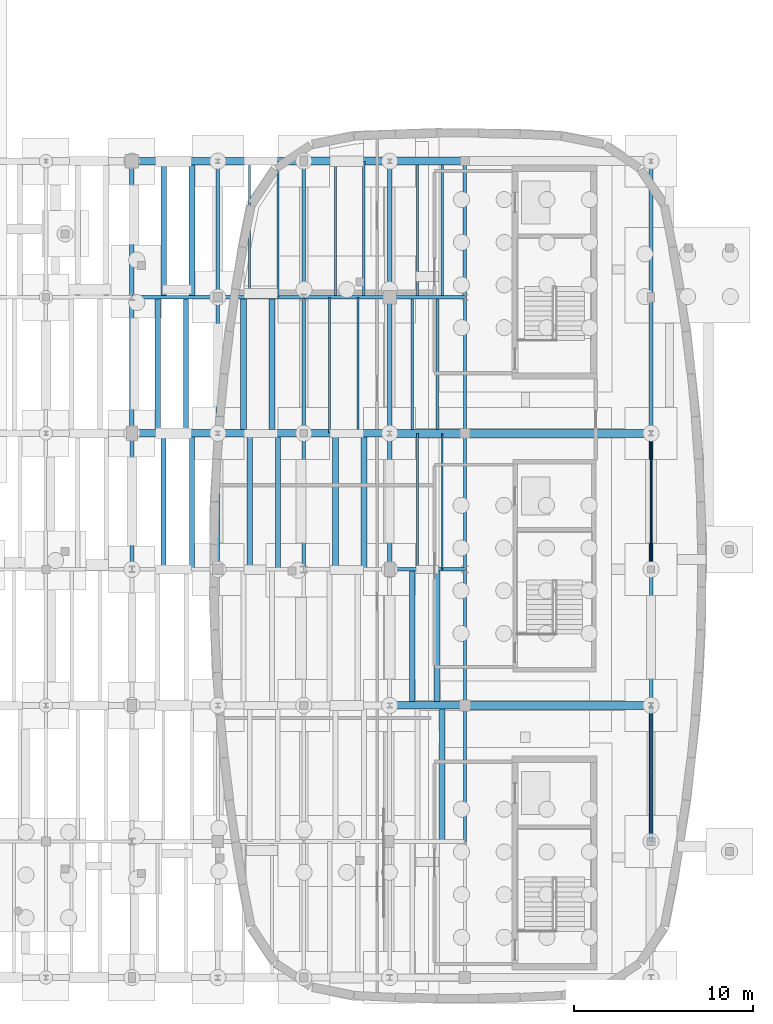
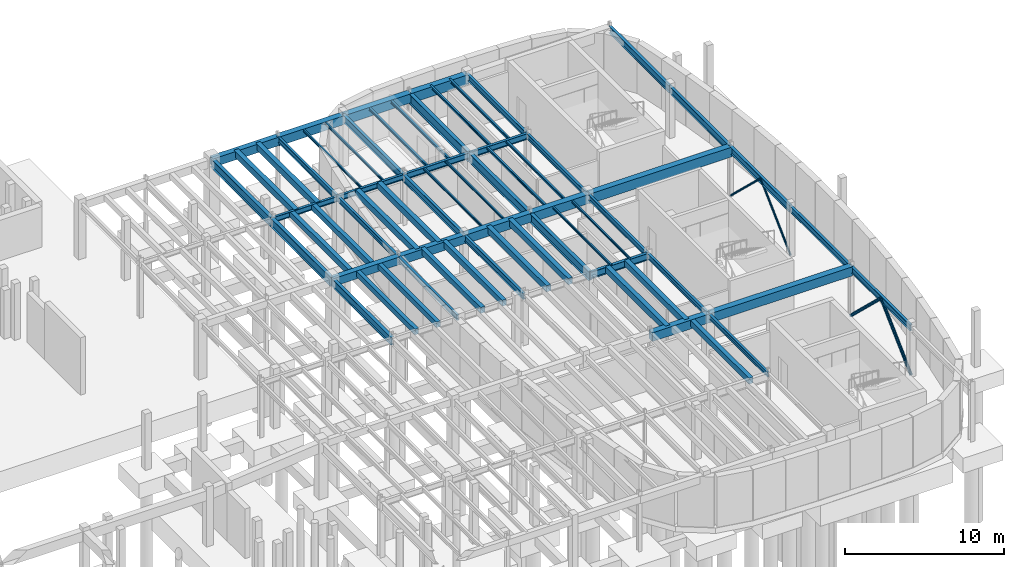
# One storey, part 30 of 45: 65 beams, 4 members.
"""IFC4 building model written with IfcOpenShell, lengths in metres."""

from ifc_helpers import new_model, si_unit, direction, frame, origin, origin_2d, place, context, subcontext, project, spatial, rectangle, hollow_circle, i_section, extrude, material, material_profile, profile_set, type_object, element, save


model = new_model("IFC4")

# Units and contexts
model_context = context("Model", 3, precision=1e-05, world=origin(), true_north=direction((0.0, 1.0)))
body_context = subcontext(model_context, "Body", "Model", "MODEL_VIEW")
ifc_project = project(units=[si_unit("LENGTHUNIT", "METRE"), si_unit("AREAUNIT", "SQUARE_METRE"), si_unit("VOLUMEUNIT", "CUBIC_METRE"), si_unit("PLANEANGLEUNIT", "RADIAN"), si_unit("MASSUNIT", "GRAM", prefix="KILO")], contexts=[model_context])

# Site, building, storey
site_placement = place(None, origin())
site = spatial("IfcSite", under=ifc_project, at=site_placement, CompositionType="ELEMENT")
building_placement = place(site_placement, origin())
building = spatial("IfcBuilding", under=site, at=building_placement, Name="Corveleigh Park Community Centre", CompositionType="ELEMENT")
storey_placement = place(building_placement, frame((0.0, 0.0, -4.199951171875)))
storey = spatial("IfcBuildingStorey", under=building, at=storey_placement, Name="B1", CompositionType="ELEMENT", Elevation=-4.199951171875)

# Beams
ifc_material_1 = material(Name="Concrete C40/50", Category="concrete")
ifc_material_profile_1 = material_profile(ifc_material_1, rectangle(XDim=0.27490234375, YDim=0.425048828125, at=origin_2d()), Name="RC-275x425", Category="concrete")
ifc_profile_set_1 = profile_set([ifc_material_profile_1], Name="Concrete C40/50")
beam_type_1 = type_object("IfcBeamType", Name="BM-RC-275x425", PredefinedType="JOIST", material=ifc_profile_set_1)
for number, where, z_axis, x_axis, name in (
    (1, (141.176025390625, 81.405029296875, 3.66943359375), (0.0, 1.0, 0.0), (-1.0, 0.0, 0.0), "Secondary floor joist"),
    (2, (142.760009765625, 81.405029296875, 3.66943359375), (0.0, 1.0, 0.0), (-1.0, 0.0, 0.0), "Secondary floor joist"),
):
    element("IfcBeam", number, at=place(storey_placement, frame(where, z_axis=z_axis, x_axis=x_axis)), inside=storey, type_object=beam_type_1, Name=name, PredefinedType="JOIST", context=body_context, shape_type="SweptSolid", body=[
        extrude(rectangle(XDim=0.27490234375, YDim=0.425048828125, at=origin_2d()), origin(), (0.0, 0.0, 1.0), 7.590087890625),
    ])
ifc_material_profile_2 = material_profile(ifc_material_1, rectangle(XDim=0.300048828125, YDim=0.449951171875, at=origin_2d()), Name="RC-300x450", Category="concrete")
ifc_profile_set_2 = profile_set([ifc_material_profile_2], Name="Concrete C40/50")
beam_type_2 = type_object("IfcBeamType", Name="BM-RC-300x450", PredefinedType="JOIST", material=ifc_profile_set_2)
for number, where, z_axis, x_axis, name in (
    (3, (140.840087890625, 89.0048828125, 3.656982421875), (0.0, 1.0, 0.0), (-1.0, 0.0, 0.0), "Secondary floor joist"),
    (4, (142.424072265625, 89.0048828125, 3.656982421875), (0.0, 1.0, 0.0), (-1.0, 0.0, 0.0), "Secondary floor joist"),
    (5, (145.97607421875, 81.405029296875, 3.656982421875), (0.0, 1.0, 0.0), (-1.0, 0.0, 0.0), "Secondary floor joist"),
    (6, (147.56005859375, 81.405029296875, 3.656982421875), (0.0, 1.0, 0.0), (-1.0, 0.0, 0.0), "Secondary floor joist"),
):
    element("IfcBeam", number, at=place(storey_placement, frame(where, z_axis=z_axis, x_axis=x_axis)), inside=storey, type_object=beam_type_2, Name=name, PredefinedType="JOIST", context=body_context, shape_type="SweptSolid", body=[
        extrude(rectangle(XDim=0.300048828125, YDim=0.449951171875, at=origin_2d()), origin(), (0.0, 0.0, 1.0), 7.590087890625),
    ])
beam_1_placement = place(storey_placement, frame((156.739990234375, 66.205078125, 3.656982421875), z_axis=(0.0, 1.0, 0.0), x_axis=(-1.0, 0.0, 0.0)))
element("IfcBeam", 7, at=beam_1_placement, inside=storey, type_object=beam_type_2, Name="Secondary floor joist", PredefinedType="JOIST", context=body_context, shape_type="SweptSolid", body=[
    extrude(rectangle(XDim=0.300048828125, YDim=0.449951171875, at=origin_2d()), origin(), (0.0, 0.0, 1.0), 7.58984375),
])
ifc_material_profile_3 = material_profile(ifc_material_1, rectangle(XDim=0.324951171875, YDim=0.47509765625, at=origin_2d()), Name="RC-325x475", Category="concrete")
ifc_profile_set_3 = profile_set([ifc_material_profile_3], Name="Concrete C40/50")
beam_type_3 = type_object("IfcBeamType", Name="BM-RC-325x475", PredefinedType="JOIST", material=ifc_profile_set_3)
for number, where, z_axis, x_axis, name in (
    (8, (141.176025390625, 96.60498046875, 3.64453125), (0.0, 1.0, 0.0), (-1.0, 0.0, 0.0), "Secondary floor joist"),
    (9, (142.760009765625, 96.60498046875, 3.64453125), (0.0, 1.0, 0.0), (-1.0, 0.0, 0.0), "Secondary floor joist"),
    (10, (145.639892578125, 89.0048828125, 3.64453125), (0.0, 1.0, 0.0), (-1.0, 0.0, 0.0), "Secondary floor joist"),
    (11, (147.22412109375, 89.0048828125, 3.64453125), (0.0, 1.0, 0.0), (-1.0, 0.0, 0.0), "Secondary floor joist"),
    (12, (150.77587890625, 81.405029296875, 3.64453125), (0.0, 1.0, 0.0), (-1.0, 0.0, 0.0), "Secondary floor joist"),
    (13, (152.360107421875, 81.405029296875, 3.64453125), (0.0, 1.0, 0.0), (-1.0, 0.0, 0.0), "Secondary floor joist"),
    (14, (155.06005859375, 73.804931640625, 3.64453125), (0.0, 1.0, 0.0), (-1.0, 0.0, 0.0), "Secondary floor joist"),
    (15, (156.446044921875, 73.804931640625, 3.64453125), (0.0, 1.0, 0.0), (-1.0, 0.0, 0.0), "Secondary floor joist"),
):
    element("IfcBeam", number, at=place(storey_placement, frame(where, z_axis=z_axis, x_axis=x_axis)), inside=storey, type_object=beam_type_3, Name=name, PredefinedType="JOIST", context=body_context, shape_type="SweptSolid", body=[
        extrude(rectangle(XDim=0.324951171875, YDim=0.47509765625, at=origin_2d()), origin(), (0.0, 0.0, 1.0), 7.590087890625),
    ])
ifc_material_profile_4 = material_profile(ifc_material_1, rectangle(XDim=0.39990234375, YDim=0.60009765625, at=origin_2d()), Name="RC-400x600", Category="concrete")
ifc_profile_set_4 = profile_set([ifc_material_profile_4], Name="Concrete C40/50")
beam_type_4 = type_object("IfcBeamType", Name="BM-RC-400x600", PredefinedType="BEAM", material=ifc_profile_set_4)
beam_2_placement = place(storey_placement, frame((139.405029296875, 89.0, 3.58203125), z_axis=(1.0, 0.0, 0.0), x_axis=(0.0, 1.0, 0.0)))
element("IfcBeam", 16, at=beam_2_placement, inside=storey, type_object=beam_type_4, Name="V4 Girder X", PredefinedType="BEAM", context=body_context, shape_type="SweptSolid", body=[
    extrude(rectangle(XDim=0.39990234375, YDim=0.60009765625, at=origin_2d()), origin(), (0.0, 0.0, 1.0), 4.7900390625),
])
ifc_material_profile_5 = material_profile(ifc_material_1, rectangle(XDim=0.39990234375, YDim=0.64990234375, at=origin_2d()), Name="RC-400x650", Category="concrete")
ifc_profile_set_5 = profile_set([ifc_material_profile_5], Name="Concrete C40/50")
beam_type_5 = type_object("IfcBeamType", Name="BM-RC-400x650", PredefinedType="BEAM", material=ifc_profile_set_5)
for number, where, z_axis, x_axis, name in (
    (17, (144.205078125, 89.0, 3.556884765625), (1.0, 0.0, 0.0), (0.0, 1.0, 0.0), "V4 Girder X"),
    (18, (139.405029296875, 104.199951171875, 3.556884765625), (1.0, 0.0, 0.0), (0.0, 1.0, 0.0), "V4 Girder X"),
):
    element("IfcBeam", number, at=place(storey_placement, frame(where, z_axis=z_axis, x_axis=x_axis)), inside=storey, type_object=beam_type_5, Name=name, PredefinedType="BEAM", context=body_context, shape_type="SweptSolid", body=[
        extrude(rectangle(XDim=0.39990234375, YDim=0.64990234375, at=origin_2d()), origin(), (0.0, 0.0, 1.0), 4.7900390625),
    ])
ifc_material_profile_6 = material_profile(ifc_material_1, rectangle(XDim=0.425048828125, YDim=0.675048828125, at=origin_2d()), Name="RC-425x675", Category="concrete")
ifc_profile_set_6 = profile_set([ifc_material_profile_6], Name="Concrete C40/50")
beam_type_6 = type_object("IfcBeamType", Name="BM-RC-425x675", PredefinedType="BEAM", material=ifc_profile_set_6)
beam_3_placement = place(storey_placement, frame((153.804931640625, 73.800048828125, 3.54443359375), z_axis=(1.0, 0.0, 0.0), x_axis=(0.0, 1.0, 0.0)))
element("IfcBeam", 19, at=beam_3_placement, inside=storey, type_object=beam_type_6, Name="V4 Girder X", PredefinedType="BEAM", context=body_context, shape_type="SweptSolid", body=[
    extrude(rectangle(XDim=0.425048828125, YDim=0.675048828125, at=origin_2d()), origin(), (0.0, 0.0, 1.0), 4.190185546875),
])
for number, where, z_axis, x_axis, name in (
    (20, (149.0048828125, 89.0, 3.54443359375), (1.0, 0.0, 0.0), (0.0, 1.0, 0.0), "V4 Girder X"),
    (21, (144.205078125, 104.199951171875, 3.54443359375), (1.0, 0.0, 0.0), (0.0, 1.0, 0.0), "V4 Girder X"),
):
    element("IfcBeam", number, at=place(storey_placement, frame(where, z_axis=z_axis, x_axis=x_axis)), inside=storey, type_object=beam_type_6, Name=name, PredefinedType="BEAM", context=body_context, shape_type="SweptSolid", body=[
        extrude(rectangle(XDim=0.425048828125, YDim=0.675048828125, at=origin_2d()), origin(), (0.0, 0.0, 1.0), 4.7900390625),
    ])
ifc_material_profile_7 = material_profile(ifc_material_1, rectangle(XDim=0.449951171875, YDim=0.699951171875, at=origin_2d()), Name="RC-450x700", Category="concrete")
ifc_profile_set_7 = profile_set([ifc_material_profile_7], Name="Concrete C40/50")
beam_type_7 = type_object("IfcBeamType", Name="BM-RC-450x700", PredefinedType="BEAM", material=ifc_profile_set_7)
beam_4_placement = place(storey_placement, frame((158.0048828125, 73.800048828125, 3.531982421875), z_axis=(1.0, 0.0, 0.0), x_axis=(0.0, 1.0, 0.0)))
element("IfcBeam", 22, at=beam_4_placement, inside=storey, type_object=beam_type_7, Name="V4 Girder X", PredefinedType="BEAM", context=body_context, shape_type="SweptSolid", body=[
    extrude(rectangle(XDim=0.449951171875, YDim=0.699951171875, at=origin_2d()), origin(), (0.0, 0.0, 1.0), 10.39013671875),
])
beam_5_placement = place(storey_placement, frame((153.804931640625, 89.0, 3.531982421875), z_axis=(1.0, 0.0, 0.0), x_axis=(0.0, 1.0, 0.0)))
element("IfcBeam", 23, at=beam_5_placement, inside=storey, type_object=beam_type_7, Name="V4 Girder X", PredefinedType="BEAM", context=body_context, shape_type="SweptSolid", body=[
    extrude(rectangle(XDim=0.449951171875, YDim=0.699951171875, at=origin_2d()), origin(), (0.0, 0.0, 1.0), 4.190185546875),
])
beam_6_placement = place(storey_placement, frame((149.0048828125, 104.199951171875, 3.531982421875), z_axis=(1.0, 0.0, 0.0), x_axis=(0.0, 1.0, 0.0)))
element("IfcBeam", 24, at=beam_6_placement, inside=storey, type_object=beam_type_7, Name="V4 Girder X", PredefinedType="BEAM", context=body_context, shape_type="SweptSolid", body=[
    extrude(rectangle(XDim=0.449951171875, YDim=0.699951171875, at=origin_2d()), origin(), (0.0, 0.0, 1.0), 4.7900390625),
])
ifc_material_profile_8 = material_profile(ifc_material_1, rectangle(XDim=0.449951171875, YDim=0.75, at=origin_2d()), Name="RC-450x750", Category="concrete")
ifc_profile_set_8 = profile_set([ifc_material_profile_8], Name="Concrete C40/50")
beam_type_8 = type_object("IfcBeamType", Name="BM-RC-450x750", PredefinedType="BEAM", material=ifc_profile_set_8)
beam_7_placement = place(storey_placement, frame((158.0048828125, 89.0, 3.5068359375), z_axis=(1.0, 0.0, 0.0), x_axis=(0.0, 1.0, 0.0)))
element("IfcBeam", 25, at=beam_7_placement, inside=storey, type_object=beam_type_8, Name="V4 Girder X", PredefinedType="BEAM", context=body_context, shape_type="SweptSolid", body=[
    extrude(rectangle(XDim=0.449951171875, YDim=0.75, at=origin_2d()), origin(), (0.0, 0.0, 1.0), 10.39013671875),
])
beam_8_placement = place(storey_placement, frame((153.804931640625, 104.199951171875, 3.5068359375), z_axis=(1.0, 0.0, 0.0), x_axis=(0.0, 1.0, 0.0)))
element("IfcBeam", 26, at=beam_8_placement, inside=storey, type_object=beam_type_8, Name="V4 Girder X", PredefinedType="BEAM", context=body_context, shape_type="SweptSolid", body=[
    extrude(rectangle(XDim=0.449951171875, YDim=0.75, at=origin_2d()), origin(), (0.0, 0.0, 1.0), 4.190185546875),
])
ifc_material_2 = material(Name="Steel S355", Category="steel")
ifc_material_profile_9 = material_profile(ifc_material_2, i_section(OverallWidth=0.101318359375, OverallDepth=0.177734375, WebThickness=0.0048828125, FlangeThickness=0.0078125, at=origin_2d()), Name="UKB 178x102x19", Category="steel")
ifc_profile_set_9 = profile_set([ifc_material_profile_9], Name="Steel S355")
beam_type_9 = type_object("IfcBeamType", Name="BM-STL-UKB178x19", PredefinedType="JOIST", material=ifc_profile_set_9)
for number, where, z_axis, x_axis, name in (
    (27, (145.97607421875, 96.60498046875, 3.79296875), (0.0, 1.0, 0.0), (-1.0, 0.0, 0.0), "Secondary floor joist"),
    (28, (147.56005859375, 96.60498046875, 3.79296875), (0.0, 1.0, 0.0), (-1.0, 0.0, 0.0), "Secondary floor joist"),
    (29, (150.43994140625, 89.0048828125, 3.79296875), (0.0, 1.0, 0.0), (-1.0, 0.0, 0.0), "Secondary floor joist"),
    (30, (152.02392578125, 89.0048828125, 3.79296875), (0.0, 1.0, 0.0), (-1.0, 0.0, 0.0), "Secondary floor joist"),
    (31, (155.35400390625, 81.405029296875, 3.79296875), (0.0, 1.0, 0.0), (-1.0, 0.0, 0.0), "Secondary floor joist"),
    (32, (156.739990234375, 81.405029296875, 3.79296875), (0.0, 1.0, 0.0), (-1.0, 0.0, 0.0), "Secondary floor joist"),
):
    element("IfcBeam", number, at=place(storey_placement, frame(where, z_axis=z_axis, x_axis=x_axis)), inside=storey, type_object=beam_type_9, Name=name, PredefinedType="JOIST", context=body_context, shape_type="SweptSolid", body=[
        extrude(i_section(OverallWidth=0.101318359375, OverallDepth=0.177734375, WebThickness=0.0048828125, FlangeThickness=0.0078125, at=origin_2d()), origin(), (0.0, 0.0, 1.0), 7.590087890625),
    ])
ifc_material_profile_10 = material_profile(ifc_material_2, i_section(OverallWidth=0.13330078125, OverallDepth=0.203125, WebThickness=0.005615234375, FlangeThickness=0.0078125, at=origin_2d()), Name="UKB 203x133x25", Category="steel")
ifc_profile_set_10 = profile_set([ifc_material_profile_10], Name="Steel S355")
beam_type_10 = type_object("IfcBeamType", Name="BM-STL-UKB203x25", PredefinedType="JOIST", material=ifc_profile_set_10)
for number, where, z_axis, x_axis, name in (
    (33, (150.77587890625, 96.60498046875, 3.7802734375), (0.0, 1.0, 0.0), (-1.0, 0.0, 0.0), "Secondary floor joist"),
    (34, (152.360107421875, 96.60498046875, 3.7802734375), (0.0, 1.0, 0.0), (-1.0, 0.0, 0.0), "Secondary floor joist"),
    (35, (155.06005859375, 89.0048828125, 3.7802734375), (0.0, 1.0, 0.0), (-1.0, 0.0, 0.0), "Secondary floor joist"),
    (36, (156.446044921875, 89.0048828125, 3.7802734375), (0.0, 1.0, 0.0), (-1.0, 0.0, 0.0), "Secondary floor joist"),
):
    element("IfcBeam", number, at=place(storey_placement, frame(where, z_axis=z_axis, x_axis=x_axis)), inside=storey, type_object=beam_type_10, Name=name, PredefinedType="JOIST", context=body_context, shape_type="SweptSolid", body=[
        extrude(i_section(OverallWidth=0.13330078125, OverallDepth=0.203125, WebThickness=0.005615234375, FlangeThickness=0.0078125, at=origin_2d()), origin(), (0.0, 0.0, 1.0), 7.590087890625),
    ])
ifc_material_profile_11 = material_profile(ifc_material_2, i_section(OverallWidth=0.1337890625, OverallDepth=0.206787109375, WebThickness=0.00634765625, FlangeThickness=0.009521484375, at=origin_2d()), Name="UKB 203x133x30", Category="steel")
ifc_profile_set_11 = profile_set([ifc_material_profile_11], Name="Steel S355")
beam_type_11 = type_object("IfcBeamType", Name="BM-STL-UKB203x30", PredefinedType="JOIST", material=ifc_profile_set_11)
for number, where, z_axis, x_axis, name in (
    (37, (155.35400390625, 96.60498046875, 3.778564453125), (0.0, 1.0, 0.0), (-1.0, 0.0, 0.0), "Secondary floor joist"),
    (38, (156.739990234375, 96.60498046875, 3.778564453125), (0.0, 1.0, 0.0), (-1.0, 0.0, 0.0), "Secondary floor joist"),
):
    element("IfcBeam", number, at=place(storey_placement, frame(where, z_axis=z_axis, x_axis=x_axis)), inside=storey, type_object=beam_type_11, Name=name, PredefinedType="JOIST", context=body_context, shape_type="SweptSolid", body=[
        extrude(i_section(OverallWidth=0.1337890625, OverallDepth=0.206787109375, WebThickness=0.00634765625, FlangeThickness=0.009521484375, at=origin_2d()), origin(), (0.0, 0.0, 1.0), 7.590087890625),
    ])
ifc_material_profile_12 = material_profile(ifc_material_2, i_section(OverallWidth=0.173095703125, OverallDepth=0.36328125, WebThickness=0.009033203125, FlangeThickness=0.015625, at=origin_2d()), Name="UKB 356x171x67", Category="steel")
ifc_profile_set_12 = profile_set([ifc_material_profile_12], Name="Steel S355")
beam_type_12 = type_object("IfcBeamType", Name="BM-STL-UKB356x67", PredefinedType="BEAM", material=ifc_profile_set_12)
beam_9_placement = place(storey_placement, frame((158.0, 66.205078125, 3.7001953125), z_axis=(0.0, 1.0, 0.0), x_axis=(-1.0, 0.0, 0.0)))
element("IfcBeam", 39, at=beam_9_placement, inside=storey, type_object=beam_type_12, Name="V4 Girder Y", PredefinedType="BEAM", context=body_context, shape_type="SweptSolid", body=[
    extrude(i_section(OverallWidth=0.173095703125, OverallDepth=0.36328125, WebThickness=0.009033203125, FlangeThickness=0.015625, at=origin_2d()), origin(), (0.0, 0.0, 1.0), 7.58984375),
])
ifc_material_profile_13 = material_profile(ifc_material_2, i_section(OverallWidth=0.177978515625, OverallDepth=0.406494140625, WebThickness=0.0078125, FlangeThickness=0.0126953125, at=origin_2d()), Name="UKB 406x178x60", Category="steel")
ifc_profile_set_13 = profile_set([ifc_material_profile_13], Name="Steel S355")
beam_type_13 = type_object("IfcBeamType", Name="BM-STL-UKB406x60", PredefinedType="BEAM", material=ifc_profile_set_13)
for number, where, z_axis, x_axis, name in (
    (40, (144.199951171875, 81.405029296875, 3.6787109375), (0.0, 1.0, 0.0), (-1.0, 0.0, 0.0), "V4 Girder Y"),
    (41, (158.0, 73.804931640625, 3.6787109375), (0.0, 1.0, 0.0), (-1.0, 0.0, 0.0), "V4 Girder Y"),
):
    element("IfcBeam", number, at=place(storey_placement, frame(where, z_axis=z_axis, x_axis=x_axis)), inside=storey, type_object=beam_type_13, Name=name, PredefinedType="BEAM", context=body_context, shape_type="SweptSolid", body=[
        extrude(i_section(OverallWidth=0.177978515625, OverallDepth=0.406494140625, WebThickness=0.0078125, FlangeThickness=0.0126953125, at=origin_2d()), origin(), (0.0, 0.0, 1.0), 7.590087890625),
    ])
ifc_material_profile_14 = material_profile(ifc_material_2, i_section(OverallWidth=0.1787109375, OverallDepth=0.409423828125, WebThickness=0.0087890625, FlangeThickness=0.014404296875, at=origin_2d()), Name="UKB 406x178x67", Category="steel")
ifc_profile_set_14 = profile_set([ifc_material_profile_14], Name="Steel S355")
beam_type_14 = type_object("IfcBeamType", Name="BM-STL-UKB406x67", PredefinedType="BEAM", material=ifc_profile_set_14)
beam_10_placement = place(storey_placement, frame((139.405029296875, 96.60009765625, 3.67724609375), z_axis=(1.0, 0.0, 0.0), x_axis=(0.0, 1.0, 0.0)))
element("IfcBeam", 42, at=beam_10_placement, inside=storey, type_object=beam_type_14, Name="V4 Girder X", PredefinedType="BEAM", context=body_context, shape_type="SweptSolid", body=[
    extrude(i_section(OverallWidth=0.1787109375, OverallDepth=0.409423828125, WebThickness=0.0087890625, FlangeThickness=0.014404296875, at=origin_2d()), origin(), (0.0, 0.0, 1.0), 4.7900390625),
])
for number, where, z_axis, x_axis, name in (
    (43, (144.199951171875, 89.0048828125, 3.67724609375), (0.0, 1.0, 0.0), (-1.0, 0.0, 0.0), "V4 Girder Y"),
    (44, (158.0, 81.405029296875, 3.67724609375), (0.0, 1.0, 0.0), (-1.0, 0.0, 0.0), "V4 Girder Y"),
):
    element("IfcBeam", number, at=place(storey_placement, frame(where, z_axis=z_axis, x_axis=x_axis)), inside=storey, type_object=beam_type_14, Name=name, PredefinedType="BEAM", context=body_context, shape_type="SweptSolid", body=[
        extrude(i_section(OverallWidth=0.1787109375, OverallDepth=0.409423828125, WebThickness=0.0087890625, FlangeThickness=0.014404296875, at=origin_2d()), origin(), (0.0, 0.0, 1.0), 7.590087890625),
    ])
ifc_material_profile_15 = material_profile(ifc_material_2, i_section(OverallWidth=0.179443359375, OverallDepth=0.412841796875, WebThickness=0.009521484375, FlangeThickness=0.01611328125, at=origin_2d()), Name="UKB 406x178x74", Category="steel")
ifc_profile_set_15 = profile_set([ifc_material_profile_15], Name="Steel S355")
beam_type_15 = type_object("IfcBeamType", Name="BM-STL-UKB406x74", PredefinedType="BEAM", material=ifc_profile_set_15)
beam_11_placement = place(storey_placement, frame((144.205078125, 96.60009765625, 3.675537109375), z_axis=(1.0, 0.0, 0.0), x_axis=(0.0, 1.0, 0.0)))
element("IfcBeam", 45, at=beam_11_placement, inside=storey, type_object=beam_type_15, Name="V4 Girder X", PredefinedType="BEAM", context=body_context, shape_type="SweptSolid", body=[
    extrude(i_section(OverallWidth=0.179443359375, OverallDepth=0.412841796875, WebThickness=0.009521484375, FlangeThickness=0.01611328125, at=origin_2d()), origin(), (0.0, 0.0, 1.0), 4.7900390625),
])
for number, where, z_axis, x_axis, name in (
    (46, (144.199951171875, 96.60498046875, 3.675537109375), (0.0, 1.0, 0.0), (-1.0, 0.0, 0.0), "V4 Girder Y"),
    (47, (158.0, 89.0048828125, 3.675537109375), (0.0, 1.0, 0.0), (-1.0, 0.0, 0.0), "V4 Girder Y"),
):
    element("IfcBeam", number, at=place(storey_placement, frame(where, z_axis=z_axis, x_axis=x_axis)), inside=storey, type_object=beam_type_15, Name=name, PredefinedType="BEAM", context=body_context, shape_type="SweptSolid", body=[
        extrude(i_section(OverallWidth=0.179443359375, OverallDepth=0.412841796875, WebThickness=0.009521484375, FlangeThickness=0.01611328125, at=origin_2d()), origin(), (0.0, 0.0, 1.0), 7.590087890625),
    ])
ifc_material_profile_16 = material_profile(ifc_material_2, i_section(OverallWidth=0.18994140625, OverallDepth=0.453369140625, WebThickness=0.008544921875, FlangeThickness=0.0126953125, at=origin_2d()), Name="UKB 457x191x67", Category="steel")
ifc_profile_set_16 = profile_set([ifc_material_profile_16], Name="Steel S355")
beam_type_16 = type_object("IfcBeamType", Name="BM-STL-UKB457x67", PredefinedType="BEAM", material=ifc_profile_set_16)
beam_12_placement = place(storey_placement, frame((149.0048828125, 96.60009765625, 3.6552734375), z_axis=(1.0, 0.0, 0.0), x_axis=(0.0, 1.0, 0.0)))
element("IfcBeam", 48, at=beam_12_placement, inside=storey, type_object=beam_type_16, Name="V4 Girder X", PredefinedType="BEAM", context=body_context, shape_type="SweptSolid", body=[
    extrude(i_section(OverallWidth=0.18994140625, OverallDepth=0.453369140625, WebThickness=0.008544921875, FlangeThickness=0.0126953125, at=origin_2d()), origin(), (0.0, 0.0, 1.0), 4.7900390625),
])
beam_13_placement = place(storey_placement, frame((158.0, 96.60498046875, 3.6552734375), z_axis=(0.0, 1.0, 0.0), x_axis=(-1.0, 0.0, 0.0)))
element("IfcBeam", 49, at=beam_13_placement, inside=storey, type_object=beam_type_16, Name="V4 Girder Y", PredefinedType="BEAM", context=body_context, shape_type="SweptSolid", body=[
    extrude(i_section(OverallWidth=0.18994140625, OverallDepth=0.453369140625, WebThickness=0.008544921875, FlangeThickness=0.0126953125, at=origin_2d()), origin(), (0.0, 0.0, 1.0), 7.590087890625),
])
ifc_material_profile_17 = material_profile(ifc_material_2, i_section(OverallWidth=0.1904296875, OverallDepth=0.45703125, WebThickness=0.009033203125, FlangeThickness=0.014404296875, at=origin_2d()), Name="UKB 457x191x74", Category="steel")
ifc_profile_set_17 = profile_set([ifc_material_profile_17], Name="Steel S355")
beam_type_17 = type_object("IfcBeamType", Name="BM-STL-UKB457x74", PredefinedType="BEAM", material=ifc_profile_set_17)
beam_14_placement = place(storey_placement, frame((153.804931640625, 96.60009765625, 3.653564453125), z_axis=(1.0, 0.0, 0.0), x_axis=(0.0, 1.0, 0.0)))
element("IfcBeam", 50, at=beam_14_placement, inside=storey, type_object=beam_type_17, Name="V4 Girder X", PredefinedType="BEAM", context=body_context, shape_type="SweptSolid", body=[
    extrude(i_section(OverallWidth=0.1904296875, OverallDepth=0.45703125, WebThickness=0.009033203125, FlangeThickness=0.014404296875, at=origin_2d()), origin(), (0.0, 0.0, 1.0), 4.190185546875),
])
ifc_material_profile_18 = material_profile(ifc_material_2, i_section(OverallWidth=0.19140625, OverallDepth=0.4599609375, WebThickness=0.010009765625, FlangeThickness=0.01611328125, at=origin_2d()), Name="UKB 457x191x82", Category="steel")
ifc_profile_set_18 = profile_set([ifc_material_profile_18], Name="Steel S355")
beam_type_18 = type_object("IfcBeamType", Name="BM-STL-UKB457x82", PredefinedType="BEAM", material=ifc_profile_set_18)
beam_15_placement = place(storey_placement, frame((168.39990234375, 66.205078125, 3.65185546875), z_axis=(0.0, 1.0, 0.0), x_axis=(-1.0, 0.0, 0.0)))
element("IfcBeam", 51, at=beam_15_placement, inside=storey, type_object=beam_type_18, Name="V4 Girder Y", PredefinedType="BEAM", context=body_context, shape_type="SweptSolid", body=[
    extrude(i_section(OverallWidth=0.19140625, OverallDepth=0.4599609375, WebThickness=0.010009765625, FlangeThickness=0.01611328125, at=origin_2d()), origin(), (0.0, 0.0, 1.0), 7.58984375),
])
ifc_material_profile_19 = material_profile(ifc_material_2, i_section(OverallWidth=0.19189453125, OverallDepth=0.46337890625, WebThickness=0.010498046875, FlangeThickness=0.017578125, at=origin_2d()), Name="UKB 457x191x89", Category="steel")
ifc_profile_set_19 = profile_set([ifc_material_profile_19], Name="Steel S355")
beam_type_19 = type_object("IfcBeamType", Name="BM-STL-UKB457x89", PredefinedType="BEAM", material=ifc_profile_set_19)
for number, where, z_axis, x_axis, name in (
    (52, (149.0, 81.405029296875, 3.650146484375), (0.0, 1.0, 0.0), (-1.0, 0.0, 0.0), "V4 Girder Y"),
    (53, (168.39990234375, 73.804931640625, 3.650146484375), (0.0, 1.0, 0.0), (-1.0, 0.0, 0.0), "V4 Girder Y"),
):
    element("IfcBeam", number, at=place(storey_placement, frame(where, z_axis=z_axis, x_axis=x_axis)), inside=storey, type_object=beam_type_19, Name=name, PredefinedType="BEAM", context=body_context, shape_type="SweptSolid", body=[
        extrude(i_section(OverallWidth=0.19189453125, OverallDepth=0.46337890625, WebThickness=0.010498046875, FlangeThickness=0.017578125, at=origin_2d()), origin(), (0.0, 0.0, 1.0), 7.590087890625),
    ])
ifc_material_profile_20 = material_profile(ifc_material_2, i_section(OverallWidth=0.2099609375, OverallDepth=0.53662109375, WebThickness=0.0107421875, FlangeThickness=0.017333984375, at=origin_2d()), Name="UKB 533x210x101", Category="steel")
ifc_profile_set_20 = profile_set([ifc_material_profile_20], Name="Steel S355")
beam_type_20 = type_object("IfcBeamType", Name="BM-STL-UKB533x101", PredefinedType="BEAM", material=ifc_profile_set_20)
for number, where, z_axis, x_axis, name in (
    (54, (149.0, 96.60498046875, 3.61376953125), (0.0, 1.0, 0.0), (-1.0, 0.0, 0.0), "V4 Girder Y"),
    (55, (168.39990234375, 89.0048828125, 3.61376953125), (0.0, 1.0, 0.0), (-1.0, 0.0, 0.0), "V4 Girder Y"),
):
    element("IfcBeam", number, at=place(storey_placement, frame(where, z_axis=z_axis, x_axis=x_axis)), inside=storey, type_object=beam_type_20, Name=name, PredefinedType="BEAM", context=body_context, shape_type="SweptSolid", body=[
        extrude(i_section(OverallWidth=0.2099609375, OverallDepth=0.53662109375, WebThickness=0.0107421875, FlangeThickness=0.017333984375, at=origin_2d()), origin(), (0.0, 0.0, 1.0), 7.590087890625),
    ])
ifc_material_profile_21 = material_profile(ifc_material_2, i_section(OverallWidth=0.210693359375, OverallDepth=0.53955078125, WebThickness=0.01171875, FlangeThickness=0.018798828125, at=origin_2d()), Name="UKB 533x210x109", Category="steel")
ifc_profile_set_21 = profile_set([ifc_material_profile_21], Name="Steel S355")
beam_type_21 = type_object("IfcBeamType", Name="BM-STL-UKB533x109", PredefinedType="BEAM", material=ifc_profile_set_21)
beam_16_placement = place(storey_placement, frame((168.39990234375, 96.60498046875, 3.6123046875), z_axis=(0.0, 1.0, 0.0), x_axis=(-1.0, 0.0, 0.0)))
element("IfcBeam", 56, at=beam_16_placement, inside=storey, type_object=beam_type_21, Name="V4 Girder Y", PredefinedType="BEAM", context=body_context, shape_type="SweptSolid", body=[
    extrude(i_section(OverallWidth=0.210693359375, OverallDepth=0.53955078125, WebThickness=0.01171875, FlangeThickness=0.018798828125, at=origin_2d()), origin(), (0.0, 0.0, 1.0), 7.590087890625),
])
ifc_material_profile_22 = material_profile(ifc_material_2, i_section(OverallWidth=0.209228515625, OverallDepth=0.533203125, WebThickness=0.010009765625, FlangeThickness=0.015625, at=origin_2d()), Name="UKB 533x210x92", Category="steel")
ifc_profile_set_22 = profile_set([ifc_material_profile_22], Name="Steel S355")
beam_type_22 = type_object("IfcBeamType", Name="BM-STL-UKB533x92", PredefinedType="BEAM", material=ifc_profile_set_22)
beam_17_placement = place(storey_placement, frame((153.804931640625, 81.39990234375, 3.615234375), z_axis=(1.0, 0.0, 0.0), x_axis=(0.0, 1.0, 0.0)))
element("IfcBeam", 57, at=beam_17_placement, inside=storey, type_object=beam_type_22, Name="V4 Girder X", PredefinedType="BEAM", context=body_context, shape_type="SweptSolid", body=[
    extrude(i_section(OverallWidth=0.209228515625, OverallDepth=0.533203125, WebThickness=0.010009765625, FlangeThickness=0.015625, at=origin_2d()), origin(), (0.0, 0.0, 1.0), 4.190185546875),
])
for number, where, z_axis, x_axis, name in (
    (58, (149.0, 89.0048828125, 3.615234375), (0.0, 1.0, 0.0), (-1.0, 0.0, 0.0), "V4 Girder Y"),
    (59, (168.39990234375, 81.405029296875, 3.615234375), (0.0, 1.0, 0.0), (-1.0, 0.0, 0.0), "V4 Girder Y"),
):
    element("IfcBeam", number, at=place(storey_placement, frame(where, z_axis=z_axis, x_axis=x_axis)), inside=storey, type_object=beam_type_22, Name=name, PredefinedType="BEAM", context=body_context, shape_type="SweptSolid", body=[
        extrude(i_section(OverallWidth=0.209228515625, OverallDepth=0.533203125, WebThickness=0.010009765625, FlangeThickness=0.015625, at=origin_2d()), origin(), (0.0, 0.0, 1.0), 7.590087890625),
    ])
ifc_material_profile_23 = material_profile(ifc_material_2, i_section(OverallWidth=0.22900390625, OverallDepth=0.6123046875, WebThickness=0.011962890625, FlangeThickness=0.01953125, at=origin_2d()), Name="UKB 610x229x125", Category="steel")
ifc_profile_set_23 = profile_set([ifc_material_profile_23], Name="Steel S355")
beam_type_23 = type_object("IfcBeamType", Name="BM-STL-UKB610x125", PredefinedType="BEAM", material=ifc_profile_set_23)
beam_18_placement = place(storey_placement, frame((139.39990234375, 81.405029296875, 3.575927734375), z_axis=(0.0, 1.0, 0.0), x_axis=(-1.0, 0.0, 0.0)))
element("IfcBeam", 60, at=beam_18_placement, inside=storey, type_object=beam_type_23, Name="V4 Girder Y", PredefinedType="BEAM", context=body_context, shape_type="SweptSolid", body=[
    extrude(i_section(OverallWidth=0.22900390625, OverallDepth=0.6123046875, WebThickness=0.011962890625, FlangeThickness=0.01953125, at=origin_2d()), origin(), (0.0, 0.0, 1.0), 7.590087890625),
])
ifc_material_profile_24 = material_profile(ifc_material_2, i_section(OverallWidth=0.253662109375, OverallDepth=0.68359375, WebThickness=0.012451171875, FlangeThickness=0.01904296875, at=origin_2d()), Name="UKB 686x254x140", Category="steel")
ifc_profile_set_24 = profile_set([ifc_material_profile_24], Name="Steel S355")
beam_type_24 = type_object("IfcBeamType", Name="BM-STL-UKB686x140", PredefinedType="BEAM", material=ifc_profile_set_24)
for number, where, z_axis, x_axis, name in (
    (61, (139.39990234375, 89.0048828125, 3.5400390625), (0.0, 1.0, 0.0), (-1.0, 0.0, 0.0), "V4 Girder Y"),
    (62, (153.800048828125, 81.405029296875, 3.5400390625), (0.0, 1.0, 0.0), (-1.0, 0.0, 0.0), "V4 Girder Y"),
):
    element("IfcBeam", number, at=place(storey_placement, frame(where, z_axis=z_axis, x_axis=x_axis)), inside=storey, type_object=beam_type_24, Name=name, PredefinedType="BEAM", context=body_context, shape_type="SweptSolid", body=[
        extrude(i_section(OverallWidth=0.253662109375, OverallDepth=0.68359375, WebThickness=0.012451171875, FlangeThickness=0.01904296875, at=origin_2d()), origin(), (0.0, 0.0, 1.0), 7.590087890625),
    ])
ifc_material_profile_25 = material_profile(ifc_material_2, i_section(OverallWidth=0.25439453125, OverallDepth=0.6875, WebThickness=0.01318359375, FlangeThickness=0.02099609375, at=origin_2d()), Name="UKB 686x254x152", Category="steel")
ifc_profile_set_25 = profile_set([ifc_material_profile_25], Name="Steel S355")
beam_type_25 = type_object("IfcBeamType", Name="BM-STL-UKB686x152", PredefinedType="BEAM", material=ifc_profile_set_25)
for number, where, z_axis, x_axis, name in (
    (63, (139.39990234375, 96.60498046875, 3.5380859375), (0.0, 1.0, 0.0), (-1.0, 0.0, 0.0), "V4 Girder Y"),
    (64, (153.800048828125, 89.0048828125, 3.5380859375), (0.0, 1.0, 0.0), (-1.0, 0.0, 0.0), "V4 Girder Y"),
):
    element("IfcBeam", number, at=place(storey_placement, frame(where, z_axis=z_axis, x_axis=x_axis)), inside=storey, type_object=beam_type_25, Name=name, PredefinedType="BEAM", context=body_context, shape_type="SweptSolid", body=[
        extrude(i_section(OverallWidth=0.25439453125, OverallDepth=0.6875, WebThickness=0.01318359375, FlangeThickness=0.02099609375, at=origin_2d()), origin(), (0.0, 0.0, 1.0), 7.590087890625),
    ])
ifc_material_profile_26 = material_profile(ifc_material_2, i_section(OverallWidth=0.2666015625, OverallDepth=0.76220703125, WebThickness=0.014404296875, FlangeThickness=0.021484375, at=origin_2d()), Name="UKB 762x267x173", Category="steel")
ifc_profile_set_26 = profile_set([ifc_material_profile_26], Name="Steel S355")
beam_type_26 = type_object("IfcBeamType", Name="BM-STL-UKB762x173", PredefinedType="BEAM", material=ifc_profile_set_26)
beam_19_placement = place(storey_placement, frame((153.800048828125, 96.60498046875, 3.500732421875), z_axis=(0.0, 1.0, 0.0), x_axis=(-1.0, 0.0, 0.0)))
element("IfcBeam", 65, at=beam_19_placement, inside=storey, type_object=beam_type_26, Name="V4 Girder Y", PredefinedType="BEAM", context=body_context, shape_type="SweptSolid", body=[
    extrude(i_section(OverallWidth=0.2666015625, OverallDepth=0.76220703125, WebThickness=0.014404296875, FlangeThickness=0.021484375, at=origin_2d()), origin(), (0.0, 0.0, 1.0), 7.590087890625),
])

# Members
ifc_material_profile_27 = material_profile(ifc_material_2, hollow_circle(Radius=0.06982421875, WallThickness=0.008056640625, at=origin_2d()), Name="CHS 139.7x8.0", Category="steel")
ifc_profile_set_27 = profile_set([ifc_material_profile_27], Name="Steel S355")
member_type_1 = type_object("IfcMemberType", Name="MEM-BRC-CHS140", PredefinedType="BRACE", material=ifc_profile_set_27)
for number, where, z_axis, x_axis, name in (
    (66, (168.39990234375, 81.39990234375, 0.0), (0.0, 0.722926246793, 0.690925207022), (-1.0, 0.0, 0.0), "Spine chevron brace"),
    (67, (168.39990234375, 89.0, 0.0), (0.0, -0.722926246793, 0.690925207022), (1.0, 0.0, 0.0), "Spine chevron brace"),
):
    element("IfcMember", number, at=place(storey_placement, frame(where, z_axis=z_axis, x_axis=x_axis)), inside=storey, type_object=member_type_1, Name=name, PredefinedType="BRACE", context=body_context, shape_type="SweptSolid", body=[
        extrude(hollow_circle(Radius=0.06982421875, WallThickness=0.008056640625, at=origin_2d()), origin(), (0.0, 0.0, 1.0), 5.256591796875),
    ])
ifc_material_profile_28 = material_profile(ifc_material_2, hollow_circle(Radius=0.109619140625, WallThickness=0.010009765625, at=origin_2d()), Name="CHS 219.1x10.0", Category="steel")
ifc_profile_set_28 = profile_set([ifc_material_profile_28], Name="Steel S355")
member_type_2 = type_object("IfcMemberType", Name="MEM-BRC-CHS219", PredefinedType="BRACE", material=ifc_profile_set_28)
for number, where, z_axis, x_axis, name in (
    (68, (168.39990234375, 66.199951171875, 0.0), (0.0, 0.722926246793, 0.690925207022), (-1.0, 0.0, 0.0), "Spine chevron brace"),
    (69, (168.39990234375, 73.800048828125, 0.0), (0.0, -0.722926246793, 0.690925207022), (1.0, 0.0, 0.0), "Spine chevron brace"),
):
    element("IfcMember", number, at=place(storey_placement, frame(where, z_axis=z_axis, x_axis=x_axis)), inside=storey, type_object=member_type_2, Name=name, PredefinedType="BRACE", context=body_context, shape_type="SweptSolid", body=[
        extrude(hollow_circle(Radius=0.109619140625, WallThickness=0.010009765625, at=origin_2d()), origin(), (0.0, 0.0, 1.0), 5.256591796875),
    ])

save(model, "model.ifc")
